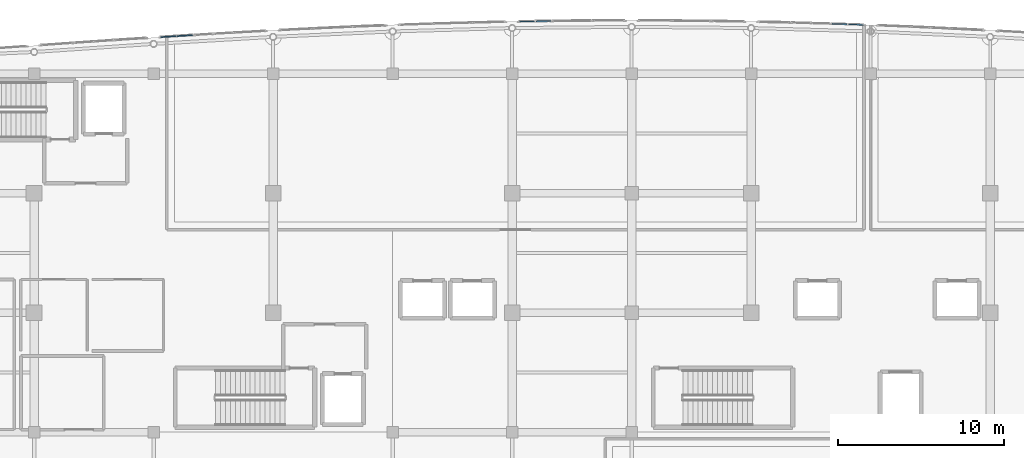
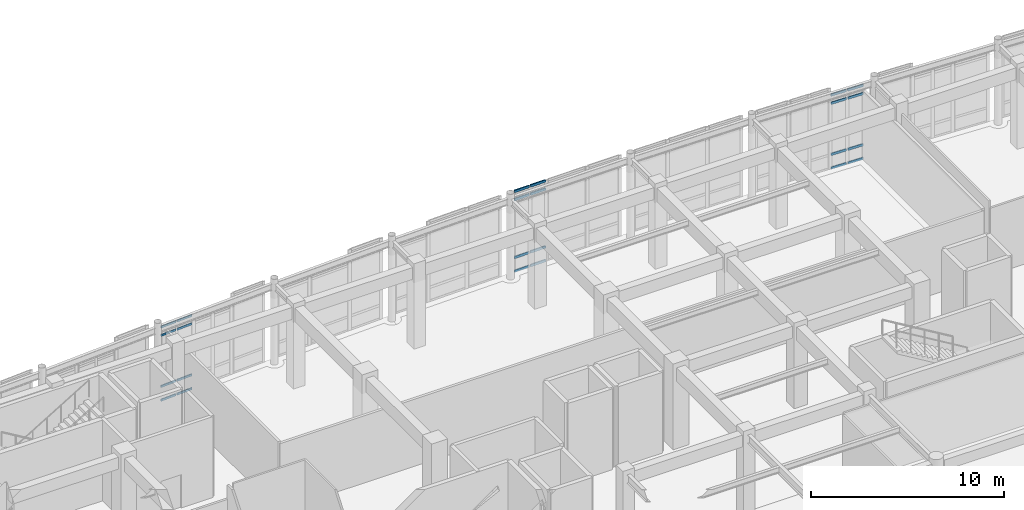
# One storey, part 61 of 102: 24 members, 3 elements without a shape of their own.
"""IFC4 building model written with IfcOpenShell, lengths in metres."""

from ifc_helpers import new_model, si_unit, direction, frame, origin, origin_2d, place, context, subcontext, project, spatial, hollow_rectangle, extrude, material, layer, layer_set, material_profile, profile_set, type_object, element, aggregate, save


model = new_model("IFC4")

# Units and contexts
model_context = context("Model", 3, precision=1e-05, world=origin(), true_north=direction((0.0, 1.0)))
body_context = subcontext(model_context, "Body", "Model", "MODEL_VIEW")
ifc_project = project(units=[si_unit("LENGTHUNIT", "METRE"), si_unit("AREAUNIT", "SQUARE_METRE"), si_unit("VOLUMEUNIT", "CUBIC_METRE"), si_unit("PLANEANGLEUNIT", "RADIAN"), si_unit("MASSUNIT", "GRAM", prefix="KILO")], contexts=[model_context])

# Site, building, storey
site_placement = place(None, origin())
site = spatial("IfcSite", under=ifc_project, at=site_placement, CompositionType="ELEMENT")
building_placement = place(site_placement, origin())
building = spatial("IfcBuilding", under=site, at=building_placement, Name="Carrowvane Square Congress Hotel", CompositionType="ELEMENT")
storey_placement = place(building_placement, origin())
storey = spatial("IfcBuildingStorey", under=building, at=storey_placement, Name="L00", CompositionType="ELEMENT", Elevation=0.0)

# Curtain wall, members
ifc_material_1 = material(Name="Anodised aluminium", Category="aluminium")
ifc_layer_1 = layer(ifc_material_1, 0.23388671875)
ifc_layer_set_1 = layer_set([ifc_layer_1], Name="Anodised aluminium")
curtain_wall_type_1 = type_object("IfcCurtainWallType", Name="CW-SYS-7", PredefinedType="NOTDEFINED", material=ifc_layer_set_1)
curtain_wall_1_placement = place(storey_placement, origin())
curtain_wall_1 = element("IfcCurtainWall", 1, at=curtain_wall_1_placement, inside=storey, type_object=curtain_wall_type_1, Name="L00 unitised curtain wall 14", PredefinedType="NOTDEFINED")
ifc_material_2 = material(Name="Anodised aluminium", Category="aluminium")
ifc_material_profile_1 = material_profile(ifc_material_2, hollow_rectangle(XDim=0.06005859375, YDim=0.1298828125, WallThickness=0.00390625, at=origin_2d()), Name="CW-TR 60x130x4")
ifc_profile_set_1 = profile_set([ifc_material_profile_1], Name="Anodised aluminium")
member_type_1 = type_object("IfcMemberType", Name="CW-TRN-1", PredefinedType="USERDEFINED", material=ifc_profile_set_1)
member_1_placement = place(storey_placement, frame((69.619873046875, 115.6005859375, 0.030029296875), z_axis=(0.998054616523, 0.062345668959, 0.0), x_axis=(-0.062345668959, 0.998054616523, 0.0)))
member_1 = element("IfcMember", 2, at=member_1_placement, type_object=member_type_1, Name="CW-7 transom 1.1", ObjectType="TRANSOM", PredefinedType="USERDEFINED", context=body_context, shape_type="SweptSolid", body=[
    extrude(hollow_rectangle(XDim=0.06005859375, YDim=0.1298828125, WallThickness=0.00390625, at=origin_2d()), origin(), (0.0, 0.0, 1.0), 0.931884765625),
])
member_2_placement = place(storey_placement, frame((69.619873046875, 115.6005859375, 0.89990234375), z_axis=(0.998054616523, 0.062345668959, 0.0), x_axis=(-0.062345668959, 0.998054616523, 0.0)))
member_2 = element("IfcMember", 3, at=member_2_placement, type_object=member_type_1, Name="CW-7 transom 1.2", ObjectType="TRANSOM", PredefinedType="USERDEFINED", context=body_context, shape_type="SweptSolid", body=[
    extrude(hollow_rectangle(XDim=0.06005859375, YDim=0.1298828125, WallThickness=0.00390625, at=origin_2d()), origin(), (0.0, 0.0, 1.0), 0.931884765625),
])
member_3_placement = place(storey_placement, frame((69.619873046875, 115.6005859375, 4.12548828125), z_axis=(0.998054616523, 0.062345668959, 0.0), x_axis=(-0.062345668959, 0.998054616523, 0.0)))
member_3 = element("IfcMember", 4, at=member_3_placement, type_object=member_type_1, Name="CW-7 transom 1.3", ObjectType="TRANSOM", PredefinedType="USERDEFINED", context=body_context, shape_type="SweptSolid", body=[
    extrude(hollow_rectangle(XDim=0.06005859375, YDim=0.1298828125, WallThickness=0.00390625, at=origin_2d()), origin(), (0.0, 0.0, 1.0), 0.931884765625),
])
member_4_placement = place(storey_placement, frame((69.619873046875, 115.6005859375, 4.6455078125), z_axis=(0.998054616523, 0.062345668959, 0.0), x_axis=(-0.062345668959, 0.998054616523, 0.0)))
member_4 = element("IfcMember", 5, at=member_4_placement, type_object=member_type_1, Name="CW-7 transom 1.4", ObjectType="TRANSOM", PredefinedType="USERDEFINED", context=body_context, shape_type="SweptSolid", body=[
    extrude(hollow_rectangle(XDim=0.06005859375, YDim=0.1298828125, WallThickness=0.00390625, at=origin_2d()), origin(), (0.0, 0.0, 1.0), 0.931884765625),
])
member_5_placement = place(storey_placement, frame((70.60986328125, 115.662353515625, 0.030029296875), z_axis=(0.998038282592, 0.062606600929, 0.0), x_axis=(-0.062606600929, 0.998038282592, 0.0)))
member_5 = element("IfcMember", 6, at=member_5_placement, type_object=member_type_1, Name="CW-7 transom 2.1", ObjectType="TRANSOM", PredefinedType="USERDEFINED", context=body_context, shape_type="SweptSolid", body=[
    extrude(hollow_rectangle(XDim=0.06005859375, YDim=0.1298828125, WallThickness=0.00390625, at=origin_2d()), origin(), (0.0, 0.0, 1.0), 0.931884765625),
])
member_6_placement = place(storey_placement, frame((70.60986328125, 115.662353515625, 0.89990234375), z_axis=(0.998038282592, 0.062606600929, 0.0), x_axis=(-0.062606600929, 0.998038282592, 0.0)))
member_6 = element("IfcMember", 7, at=member_6_placement, type_object=member_type_1, Name="CW-7 transom 2.2", ObjectType="TRANSOM", PredefinedType="USERDEFINED", context=body_context, shape_type="SweptSolid", body=[
    extrude(hollow_rectangle(XDim=0.06005859375, YDim=0.1298828125, WallThickness=0.00390625, at=origin_2d()), origin(), (0.0, 0.0, 1.0), 0.931884765625),
])
member_7_placement = place(storey_placement, frame((70.60986328125, 115.662353515625, 4.12548828125), z_axis=(0.998038282592, 0.062606600929, 0.0), x_axis=(-0.062606600929, 0.998038282592, 0.0)))
member_7 = element("IfcMember", 8, at=member_7_placement, type_object=member_type_1, Name="CW-7 transom 2.3", ObjectType="TRANSOM", PredefinedType="USERDEFINED", context=body_context, shape_type="SweptSolid", body=[
    extrude(hollow_rectangle(XDim=0.06005859375, YDim=0.1298828125, WallThickness=0.00390625, at=origin_2d()), origin(), (0.0, 0.0, 1.0), 0.931884765625),
])
member_8_placement = place(storey_placement, frame((70.60986328125, 115.662353515625, 4.6455078125), z_axis=(0.998038282592, 0.062606600929, 0.0), x_axis=(-0.062606600929, 0.998038282592, 0.0)))
member_8 = element("IfcMember", 9, at=member_8_placement, type_object=member_type_1, Name="CW-7 transom 2.4", ObjectType="TRANSOM", PredefinedType="USERDEFINED", context=body_context, shape_type="SweptSolid", body=[
    extrude(hollow_rectangle(XDim=0.06005859375, YDim=0.1298828125, WallThickness=0.00390625, at=origin_2d()), origin(), (0.0, 0.0, 1.0), 0.931884765625),
])
aggregate(curtain_wall_1, [member_1, member_2, member_3, member_4, member_5, member_6, member_7, member_8])

ifc_material_3 = material(Name="Anodised aluminium", Category="aluminium")
ifc_layer_2 = layer(ifc_material_3, 0.24609375)
ifc_layer_set_2 = layer_set([ifc_layer_2], Name="Anodised aluminium")
curtain_wall_type_2 = type_object("IfcCurtainWallType", Name="CW-SYS-8", PredefinedType="NOTDEFINED", material=ifc_layer_set_2)
curtain_wall_2_placement = place(storey_placement, origin())
curtain_wall_2 = element("IfcCurtainWall", 10, at=curtain_wall_2_placement, inside=storey, type_object=curtain_wall_type_2, Name="L00 unitised curtain wall 23", PredefinedType="NOTDEFINED")
ifc_material_4 = material(Name="Anodised aluminium", Category="aluminium")
ifc_material_profile_2 = material_profile(ifc_material_4, hollow_rectangle(XDim=0.070068359375, YDim=0.14990234375, WallThickness=0.0048828125, at=origin_2d()), Name="CW-TR 70x150x5")
ifc_profile_set_2 = profile_set([ifc_material_profile_2], Name="Anodised aluminium")
member_type_2 = type_object("IfcMemberType", Name="CW-TRN-2", PredefinedType="USERDEFINED", material=ifc_profile_set_2)
member_9_placement = place(storey_placement, frame((91.24755859375, 116.537109375, 0.034912109375), z_axis=(0.999869391489, 0.016161681974, 0.0), x_axis=(-0.016161681974, 0.999869391489, 0.0)))
member_9 = element("IfcMember", 11, at=member_9_placement, type_object=member_type_2, Name="CW-8 transom 1.1", ObjectType="TRANSOM", PredefinedType="USERDEFINED", context=body_context, shape_type="SweptSolid", body=[
    extrude(hollow_rectangle(XDim=0.070068359375, YDim=0.14990234375, WallThickness=0.0048828125, at=origin_2d()), origin(), (0.0, 0.0, 1.0), 0.90625),
])
member_10_placement = place(storey_placement, frame((91.24755859375, 116.537109375, 0.89990234375), z_axis=(0.999869391489, 0.016161681974, 0.0), x_axis=(-0.016161681974, 0.999869391489, 0.0)))
member_10 = element("IfcMember", 12, at=member_10_placement, type_object=member_type_2, Name="CW-8 transom 1.2", ObjectType="TRANSOM", PredefinedType="USERDEFINED", context=body_context, shape_type="SweptSolid", body=[
    extrude(hollow_rectangle(XDim=0.070068359375, YDim=0.14990234375, WallThickness=0.0048828125, at=origin_2d()), origin(), (0.0, 0.0, 1.0), 0.90625),
])
member_11_placement = place(storey_placement, frame((91.24755859375, 116.537109375, 4.550048828125), z_axis=(0.999869391489, 0.016161681974, 0.0), x_axis=(-0.016161681974, 0.999869391489, 0.0)))
member_11 = element("IfcMember", 13, at=member_11_placement, type_object=member_type_2, Name="CW-8 transom 1.3", ObjectType="TRANSOM", PredefinedType="USERDEFINED", context=body_context, shape_type="SweptSolid", body=[
    extrude(hollow_rectangle(XDim=0.070068359375, YDim=0.14990234375, WallThickness=0.0048828125, at=origin_2d()), origin(), (0.0, 0.0, 1.0), 0.90625),
])
member_12_placement = place(storey_placement, frame((91.24755859375, 116.537109375, 5.06494140625), z_axis=(0.999869391489, 0.016161681974, 0.0), x_axis=(-0.016161681974, 0.999869391489, 0.0)))
member_12 = element("IfcMember", 14, at=member_12_placement, type_object=member_type_2, Name="CW-8 transom 1.4", ObjectType="TRANSOM", PredefinedType="USERDEFINED", context=body_context, shape_type="SweptSolid", body=[
    extrude(hollow_rectangle(XDim=0.070068359375, YDim=0.14990234375, WallThickness=0.0048828125, at=origin_2d()), origin(), (0.0, 0.0, 1.0), 0.90625),
])
member_13_placement = place(storey_placement, frame((92.223876953125, 116.552734375, 0.034912109375), z_axis=(0.99986492973, 0.016435397659, 0.0), x_axis=(-0.016435397659, 0.99986492973, 0.0)))
member_13 = element("IfcMember", 15, at=member_13_placement, type_object=member_type_2, Name="CW-8 transom 2.1", ObjectType="TRANSOM", PredefinedType="USERDEFINED", context=body_context, shape_type="SweptSolid", body=[
    extrude(hollow_rectangle(XDim=0.070068359375, YDim=0.14990234375, WallThickness=0.0048828125, at=origin_2d()), origin(), (0.0, 0.0, 1.0), 0.90625),
])
member_14_placement = place(storey_placement, frame((92.223876953125, 116.552734375, 0.89990234375), z_axis=(0.99986492973, 0.016435397659, 0.0), x_axis=(-0.016435397659, 0.99986492973, 0.0)))
member_14 = element("IfcMember", 16, at=member_14_placement, type_object=member_type_2, Name="CW-8 transom 2.2", ObjectType="TRANSOM", PredefinedType="USERDEFINED", context=body_context, shape_type="SweptSolid", body=[
    extrude(hollow_rectangle(XDim=0.070068359375, YDim=0.14990234375, WallThickness=0.0048828125, at=origin_2d()), origin(), (0.0, 0.0, 1.0), 0.90625),
])
member_15_placement = place(storey_placement, frame((92.223876953125, 116.552734375, 4.550048828125), z_axis=(0.99986492973, 0.016435397659, 0.0), x_axis=(-0.016435397659, 0.99986492973, 0.0)))
member_15 = element("IfcMember", 17, at=member_15_placement, type_object=member_type_2, Name="CW-8 transom 2.3", ObjectType="TRANSOM", PredefinedType="USERDEFINED", context=body_context, shape_type="SweptSolid", body=[
    extrude(hollow_rectangle(XDim=0.070068359375, YDim=0.14990234375, WallThickness=0.0048828125, at=origin_2d()), origin(), (0.0, 0.0, 1.0), 0.90625),
])
member_16_placement = place(storey_placement, frame((92.223876953125, 116.552734375, 5.06494140625), z_axis=(0.99986492973, 0.016435397659, 0.0), x_axis=(-0.016435397659, 0.99986492973, 0.0)))
member_16 = element("IfcMember", 18, at=member_16_placement, type_object=member_type_2, Name="CW-8 transom 2.4", ObjectType="TRANSOM", PredefinedType="USERDEFINED", context=body_context, shape_type="SweptSolid", body=[
    extrude(hollow_rectangle(XDim=0.070068359375, YDim=0.14990234375, WallThickness=0.0048828125, at=origin_2d()), origin(), (0.0, 0.0, 1.0), 0.90625),
])
aggregate(curtain_wall_2, [member_9, member_10, member_11, member_12, member_13, member_14, member_15, member_16])

curtain_wall_3_placement = place(storey_placement, origin())
curtain_wall_3 = element("IfcCurtainWall", 19, at=curtain_wall_3_placement, inside=storey, type_object=curtain_wall_type_2, Name="L00 unitised curtain wall 31", PredefinedType="NOTDEFINED")
member_17_placement = place(storey_placement, frame((110.070068359375, 116.404541015625, 0.034912109375), z_axis=(0.999401211416, -0.034600847094, 0.0), x_axis=(0.034600847094, 0.999401211416, 0.0)))
member_17 = element("IfcMember", 20, at=member_17_placement, type_object=member_type_2, Name="CW-8 transom 1.1", ObjectType="TRANSOM", PredefinedType="USERDEFINED", context=body_context, shape_type="SweptSolid", body=[
    extrude(hollow_rectangle(XDim=0.070068359375, YDim=0.14990234375, WallThickness=0.0048828125, at=origin_2d()), origin(), (0.0, 0.0, 1.0), 0.91015625),
])
member_18_placement = place(storey_placement, frame((110.070068359375, 116.404541015625, 0.89990234375), z_axis=(0.999401211416, -0.034600847094, 0.0), x_axis=(0.034600847094, 0.999401211416, 0.0)))
member_18 = element("IfcMember", 21, at=member_18_placement, type_object=member_type_2, Name="CW-8 transom 1.2", ObjectType="TRANSOM", PredefinedType="USERDEFINED", context=body_context, shape_type="SweptSolid", body=[
    extrude(hollow_rectangle(XDim=0.070068359375, YDim=0.14990234375, WallThickness=0.0048828125, at=origin_2d()), origin(), (0.0, 0.0, 1.0), 0.91015625),
])
member_19_placement = place(storey_placement, frame((110.070068359375, 116.404541015625, 4.12548828125), z_axis=(0.999401211416, -0.034600847094, 0.0), x_axis=(0.034600847094, 0.999401211416, 0.0)))
member_19 = element("IfcMember", 22, at=member_19_placement, type_object=member_type_2, Name="CW-8 transom 1.3", ObjectType="TRANSOM", PredefinedType="USERDEFINED", context=body_context, shape_type="SweptSolid", body=[
    extrude(hollow_rectangle(XDim=0.070068359375, YDim=0.14990234375, WallThickness=0.0048828125, at=origin_2d()), origin(), (0.0, 0.0, 1.0), 0.91015625),
])
member_20_placement = place(storey_placement, frame((110.070068359375, 116.404541015625, 4.640625), z_axis=(0.999401211416, -0.034600847094, 0.0), x_axis=(0.034600847094, 0.999401211416, 0.0)))
member_20 = element("IfcMember", 23, at=member_20_placement, type_object=member_type_2, Name="CW-8 transom 1.4", ObjectType="TRANSOM", PredefinedType="USERDEFINED", context=body_context, shape_type="SweptSolid", body=[
    extrude(hollow_rectangle(XDim=0.070068359375, YDim=0.14990234375, WallThickness=0.0048828125, at=origin_2d()), origin(), (0.0, 0.0, 1.0), 0.91015625),
])
member_21_placement = place(storey_placement, frame((111.0498046875, 116.37060546875, 0.034912109375), z_axis=(0.999401211416, -0.034600847094, 0.0), x_axis=(0.034600847094, 0.999401211416, 0.0)))
member_21 = element("IfcMember", 24, at=member_21_placement, type_object=member_type_2, Name="CW-8 transom 2.1", ObjectType="TRANSOM", PredefinedType="USERDEFINED", context=body_context, shape_type="SweptSolid", body=[
    extrude(hollow_rectangle(XDim=0.070068359375, YDim=0.14990234375, WallThickness=0.0048828125, at=origin_2d()), origin(), (0.0, 0.0, 1.0), 0.91015625),
])
member_22_placement = place(storey_placement, frame((111.0498046875, 116.37060546875, 0.89990234375), z_axis=(0.999401211416, -0.034600847094, 0.0), x_axis=(0.034600847094, 0.999401211416, 0.0)))
member_22 = element("IfcMember", 25, at=member_22_placement, type_object=member_type_2, Name="CW-8 transom 2.2", ObjectType="TRANSOM", PredefinedType="USERDEFINED", context=body_context, shape_type="SweptSolid", body=[
    extrude(hollow_rectangle(XDim=0.070068359375, YDim=0.14990234375, WallThickness=0.0048828125, at=origin_2d()), origin(), (0.0, 0.0, 1.0), 0.91015625),
])
member_23_placement = place(storey_placement, frame((111.0498046875, 116.37060546875, 4.12548828125), z_axis=(0.999401211416, -0.034600847094, 0.0), x_axis=(0.034600847094, 0.999401211416, 0.0)))
member_23 = element("IfcMember", 26, at=member_23_placement, type_object=member_type_2, Name="CW-8 transom 2.3", ObjectType="TRANSOM", PredefinedType="USERDEFINED", context=body_context, shape_type="SweptSolid", body=[
    extrude(hollow_rectangle(XDim=0.070068359375, YDim=0.14990234375, WallThickness=0.0048828125, at=origin_2d()), origin(), (0.0, 0.0, 1.0), 0.91015625),
])
member_24_placement = place(storey_placement, frame((111.0498046875, 116.37060546875, 4.640625), z_axis=(0.999401211416, -0.034600847094, 0.0), x_axis=(0.034600847094, 0.999401211416, 0.0)))
member_24 = element("IfcMember", 27, at=member_24_placement, type_object=member_type_2, Name="CW-8 transom 2.4", ObjectType="TRANSOM", PredefinedType="USERDEFINED", context=body_context, shape_type="SweptSolid", body=[
    extrude(hollow_rectangle(XDim=0.070068359375, YDim=0.14990234375, WallThickness=0.0048828125, at=origin_2d()), origin(), (0.0, 0.0, 1.0), 0.91015625),
])
aggregate(curtain_wall_3, [member_17, member_18, member_19, member_20, member_21, member_22, member_23, member_24])

save(model, "model.ifc")
